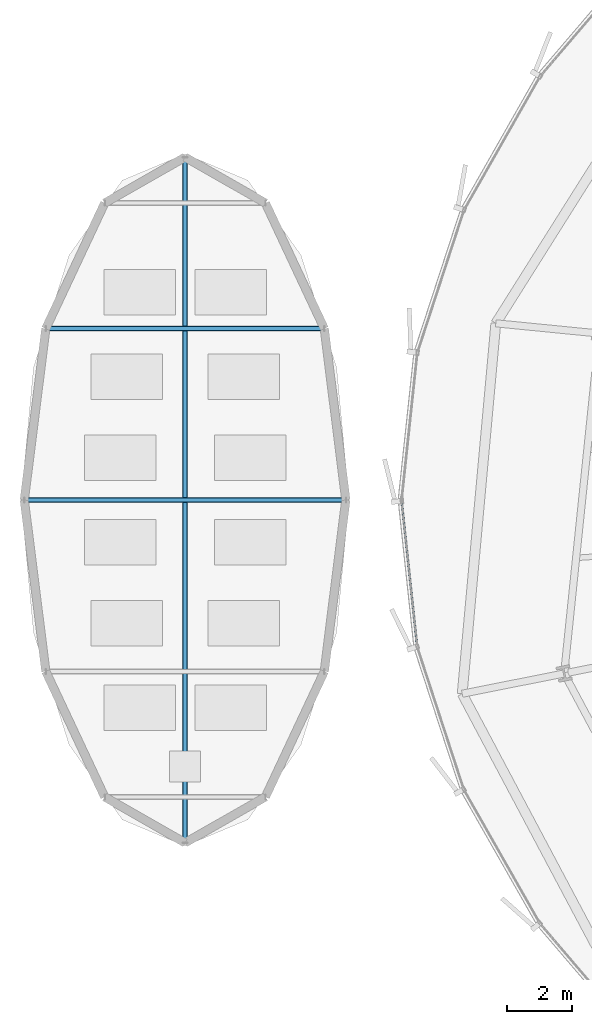
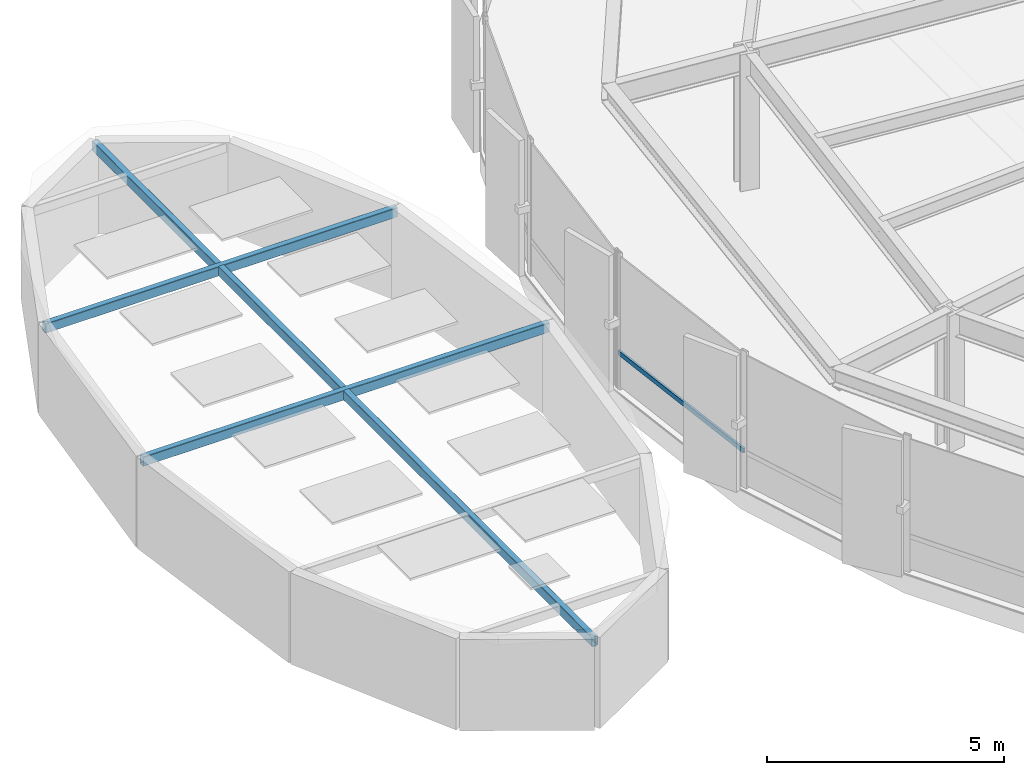
# One storey, part 6 of 38: 4 members, 1 element without a shape of its own.
"""IFC4 building model written with IfcOpenShell, lengths in metres."""

from ifc_helpers import new_model, si_unit, direction, frame, origin, origin_2d, place, context, subcontext, project, spatial, hollow_rectangle, extrude, source, transform, mapped, material, layer, layer_set, material_profile, profile_set, type_object, element, aggregate, save


model = new_model("IFC4")

# Units and contexts
model_context = context("Model", 3, precision=1e-05, world=origin(), true_north=direction((0.0, 1.0)))
body_context = subcontext(model_context, "Body", "Model", "MODEL_VIEW")
ifc_project = project(units=[si_unit("LENGTHUNIT", "METRE"), si_unit("AREAUNIT", "SQUARE_METRE"), si_unit("VOLUMEUNIT", "CUBIC_METRE"), si_unit("PLANEANGLEUNIT", "RADIAN"), si_unit("MASSUNIT", "GRAM", prefix="KILO"), si_unit("THERMODYNAMICTEMPERATUREUNIT", "KELVIN")], contexts=[model_context])

# Site, building, storey
site_placement = place(None, origin())
site = spatial("IfcSite", under=ifc_project, at=site_placement, CompositionType="ELEMENT")
building_placement = place(site_placement, origin())
building = spatial("IfcBuilding", under=site, at=building_placement, Name="Kethvar Cultural Tower", CompositionType="ELEMENT")
storey_placement = place(building_placement, frame((0.0, 0.0, 29.60009765625)))
storey = spatial("IfcBuildingStorey", under=building, at=storey_placement, Name="L06", CompositionType="ELEMENT", Elevation=29.60009765625)

# Members
ifc_material_1 = material(Name="Steel S355J2", Category="steel")
ifc_material_profile_1 = material_profile(ifc_material_1, hollow_rectangle(XDim=0.14990234375, YDim=0.25, WallThickness=0.010009765625, InnerFilletRadius=0.010009765625, OuterFilletRadius=0.02001953125, at=origin_2d()), Name="Steel S355J2 — RHS250x150x10")
ifc_profile_set_1 = profile_set([ifc_material_profile_1], Name="Steel S355J2 — RHS250x150x10")
member_type_1 = type_object("IfcMemberType", Name="MB-PUR-250", PredefinedType="PURLIN", material=ifc_profile_set_1)
shared_shape_1 = source(origin(), body_context, "Body", "SweptSolid", [
    extrude(hollow_rectangle(XDim=0.14990234375, YDim=0.25, WallThickness=0.010009765625, InnerFilletRadius=0.010009765625, OuterFilletRadius=0.02001953125, at=origin_2d()), origin(), (0.0, 0.0, 1.0), 8.57373046875),
])
member_1_placement = place(storey_placement, frame((4.01318359375, 33.074951171875, 2.2099609375), z_axis=(1.0, 0.0, 0.0), x_axis=(0.0, 1.0, 0.0)))
element("IfcMember", 1, at=member_1_placement, inside=storey, type_object=member_type_1, Name="Atrium Skylight Purlin PR-01", PredefinedType="PURLIN", context=body_context, shape_type="MappedRepresentation", body=[
    mapped(shared_shape_1, transform((0.0, 0.0, 0.0), scale=1.0)),
])
shared_shape_2 = source(origin(), body_context, "Body", "SweptSolid", [
    extrude(hollow_rectangle(XDim=0.14990234375, YDim=0.25, WallThickness=0.010009765625, InnerFilletRadius=0.010009765625, OuterFilletRadius=0.02001953125, at=origin_2d()), origin(), (0.0, 0.0, 1.0), 9.89990234375),
])
member_2_placement = place(storey_placement, frame((3.35009765625, 27.800048828125, 2.2099609375), z_axis=(1.0, 0.0, 0.0), x_axis=(0.0, 1.0, 0.0)))
element("IfcMember", 2, at=member_2_placement, inside=storey, type_object=member_type_1, Name="Atrium Skylight Purlin PR-02", PredefinedType="PURLIN", context=body_context, shape_type="MappedRepresentation", body=[
    mapped(shared_shape_2, transform((0.0, 0.0, 0.0), scale=1.0)),
])
shared_shape_3 = source(origin(), body_context, "Body", "SweptSolid", [
    extrude(hollow_rectangle(XDim=0.14990234375, YDim=0.25, WallThickness=0.010009765625, InnerFilletRadius=0.010009765625, OuterFilletRadius=0.02001953125, at=origin_2d()), origin(), (0.0, 0.0, 1.0), 21.10009765625),
])
member_3_placement = place(storey_placement, frame((8.300048828125, 38.35009765625, 2.2099609375), z_axis=(0.0, -1.0, 0.0), x_axis=(1.0, 0.0, 0.0)))
element("IfcMember", 3, at=member_3_placement, inside=storey, type_object=member_type_1, Name="Atrium Skylight Purlin PR-06", PredefinedType="PURLIN", context=body_context, shape_type="MappedRepresentation", body=[
    mapped(shared_shape_3, transform((0.0, 0.0, 0.0), scale=1.0)),
])

# Curtain wall, member
ifc_material_2 = material(Name="Aluminium 6063-T6", Category="aluminium")
ifc_layer = layer(ifc_material_2, 0.179931640625, Name="Aluminium 6063-T6", Category="aluminium")
ifc_layer_set = layer_set([ifc_layer], Name="Aluminium 6063-T6 (180 mm)")
curtain_wall_type = type_object("IfcCurtainWallType", Name="CW-SYS-02-Z1", PredefinedType="NOTDEFINED", material=ifc_layer_set)
curtain_wall_placement = place(storey_placement, origin())
curtain_wall = element("IfcCurtainWall", 4, at=curtain_wall_placement, inside=storey, type_object=curtain_wall_type, Name="L06 Curtain Wall Run 04", PredefinedType="NOTDEFINED")
ifc_material_profile_2 = material_profile(ifc_material_2, hollow_rectangle(XDim=0.054931640625, YDim=0.1201171875, WallThickness=0.00390625, at=origin_2d()), Name="Aluminium 6063-T6 — RHS120x55x4")
ifc_profile_set_2 = profile_set([ifc_material_profile_2], Name="Aluminium 6063-T6 — RHS120x55x4")
member_type_2 = type_object("IfcMemberType", Name="CW-SYS-02-Z1-TRN", PredefinedType="USERDEFINED", material=ifc_profile_set_2)
shared_shape_4 = source(origin(), body_context, "Body", "SweptSolid", [
    extrude(hollow_rectangle(XDim=0.054931640625, YDim=0.1201171875, WallThickness=0.00390625, at=origin_2d()), origin(), (0.0, 0.0, 1.0), 4.481689453125),
])
member_4_placement = place(storey_placement, frame((14.96435546875, 27.76611328125, 0.949951171875), z_axis=(0.106119562727, -0.994353377028, 0.0), x_axis=(0.994353377028, 0.106119562727, 0.0)))
member_4 = element("IfcMember", 5, at=member_4_placement, type_object=member_type_2, Name="CW-L06-R04 Transom 1", ObjectType="TRANSOM", PredefinedType="USERDEFINED", context=body_context, shape_type="MappedRepresentation", body=[
    mapped(shared_shape_4, transform((0.0, 0.0, 0.0), scale=1.0)),
])
aggregate(curtain_wall, [member_4])

save(model, "model.ifc")
